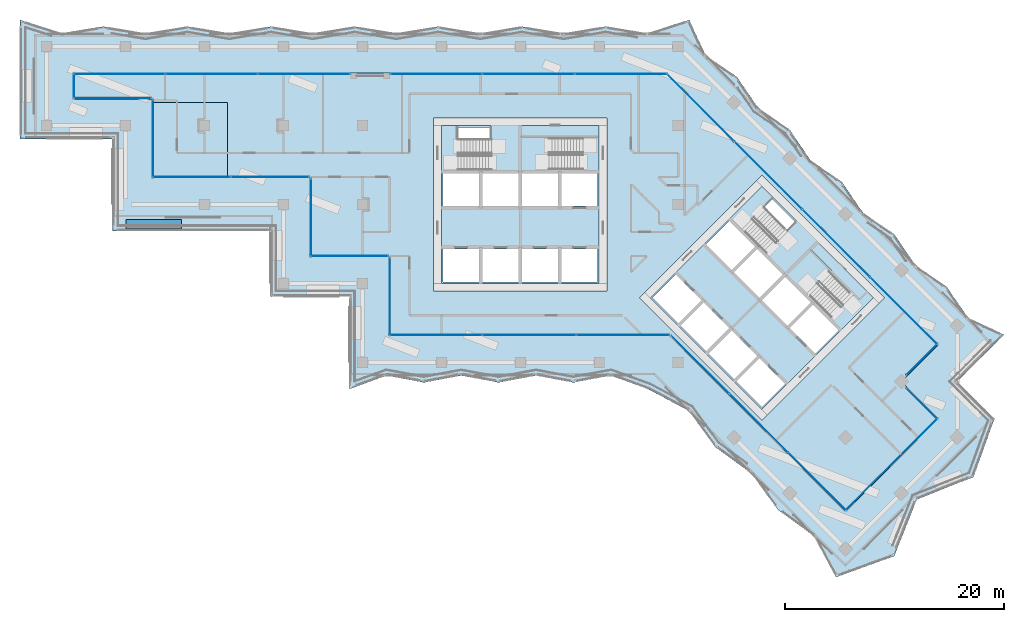
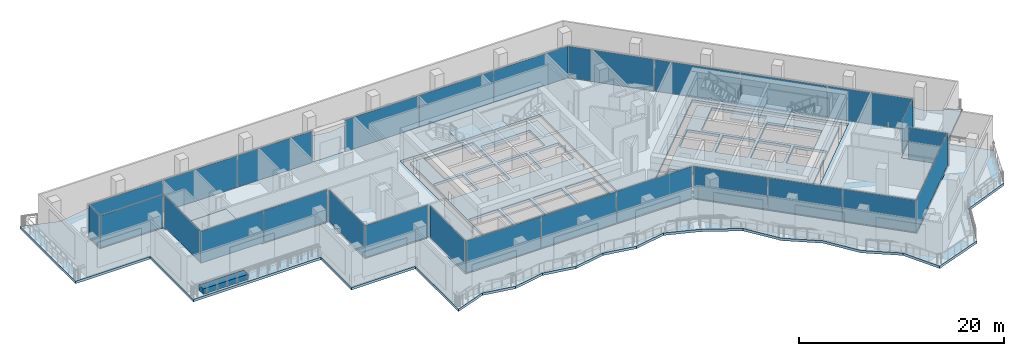
# One storey, part 9 of 23: 27 plates, 8 slabs, 1 wall, 22 openings, 19 elements without a shape of their own.
"""IFC4 building model written with IfcOpenShell, lengths in metres."""

from ifc_helpers import new_model, si_unit, direction, frame, frame_2d, origin, origin_2d, place, context, subcontext, project, spatial, polyline, rectangle, outline, extrude, material, layer, layer_set, type_object, element, aggregate, save


model = new_model("IFC4")

# Units and contexts
model_context = context("Model", 3, precision=1e-05, world=origin(), true_north=direction((0.0, 1.0)))
body_context = subcontext(model_context, "Body", "Model", "MODEL_VIEW")
ifc_project = project(units=[si_unit("LENGTHUNIT", "METRE"), si_unit("AREAUNIT", "SQUARE_METRE"), si_unit("VOLUMEUNIT", "CUBIC_METRE"), si_unit("PLANEANGLEUNIT", "RADIAN"), si_unit("MASSUNIT", "GRAM", prefix="KILO")], contexts=[model_context])

# Site, building, storey
site_placement = place(None, origin())
site = spatial("IfcSite", under=ifc_project, at=site_placement, CompositionType="ELEMENT")
building_placement = place(site_placement, origin())
building = spatial("IfcBuilding", under=site, at=building_placement, Name="Windrow Commons", CompositionType="ELEMENT")
storey_placement = place(building_placement, frame((0.0, 0.0, 122.0)))
storey = spatial("IfcBuildingStorey", under=building, at=storey_placement, Name="L33", CompositionType="ELEMENT", Elevation=122.0)

# Slab, openings
ifc_material_1 = material(Name="Concrete C50/60", Category="concrete")
ifc_layer_1 = layer(ifc_material_1, 0.3)
ifc_layer_set_1 = layer_set([ifc_layer_1], Name="CORE FLOOR SLAB 300 C50/60")
slab_type_1 = type_object("IfcSlabType", Name="CORE FLOOR SLAB 300 C50/60", PredefinedType="FLOOR", material=ifc_layer_set_1)
placement_1 = place(storey_placement, frame((0.0, 0.0, -0.3)))
slab_1 = element("IfcSlab", 1, at=placement_1, inside=storey, type_object=slab_type_1, Name="S-L33-core-A", PredefinedType="FLOOR", context=body_context, shape_type="SweptSolid", body=[
    extrude(outline(polyline([(57.6, 50.4), (72.0, 50.4), (72.0, 64.8), (57.6, 64.8), (57.6, 50.4)]), holes=[polyline([(57.75, 50.55), (61.05, 50.55), (61.05, 53.55), (57.75, 53.55), (57.75, 50.55)]), polyline([(61.35, 50.55), (64.65, 50.55), (64.65, 53.55), (61.35, 53.55), (61.35, 50.55)]), polyline([(64.95, 50.55), (68.25, 50.55), (68.25, 53.55), (64.95, 53.55), (64.95, 50.55)]), polyline([(68.55, 50.55), (71.85, 50.55), (71.85, 53.55), (68.55, 53.55), (68.55, 50.55)]), polyline([(57.75, 57.45), (61.05, 57.45), (61.05, 60.45), (57.75, 60.45), (57.75, 57.45)]), polyline([(61.35, 57.45), (64.65, 57.45), (64.65, 60.45), (61.35, 60.45), (61.35, 57.45)]), polyline([(64.95, 57.45), (68.25, 57.45), (68.25, 60.45), (64.95, 60.45), (64.95, 57.45)]), polyline([(68.55, 57.45), (71.85, 57.45), (71.85, 60.45), (68.55, 60.45), (68.55, 57.45)]), polyline([(59.1, 60.75), (64.65, 60.75), (64.65, 64.65), (59.1, 64.65), (59.1, 60.75)]), polyline([(64.95, 60.75), (70.5, 60.75), (70.5, 63.705), (64.95, 63.705), (64.95, 60.75)])]), origin(), (0.0, 0.0, 1.0), 0.3),
])
opening_1_placement = place(placement_1, origin())
element("IfcOpeningElement", 2, at=opening_1_placement, cuts=slab_1, Name="Slab opening S-L33-core-A 1", PredefinedType="OPENING", context=body_context, shape_type="SweptSolid", body=[
    extrude(outline(polyline([(57.755, 50.555), (57.755, 53.545), (61.045, 53.545), (61.045, 50.555), (57.755, 50.555)])), origin(), (0.0, 0.0, 1.0), 0.3),
])
opening_2_placement = place(placement_1, origin())
element("IfcOpeningElement", 3, at=opening_2_placement, cuts=slab_1, Name="Slab opening S-L33-core-A 2", PredefinedType="OPENING", context=body_context, shape_type="SweptSolid", body=[
    extrude(outline(polyline([(61.355, 50.555), (61.355, 53.545), (64.645, 53.545), (64.645, 50.555), (61.355, 50.555)])), origin(), (0.0, 0.0, 1.0), 0.3),
])
opening_3_placement = place(placement_1, origin())
element("IfcOpeningElement", 4, at=opening_3_placement, cuts=slab_1, Name="Slab opening S-L33-core-A 3", PredefinedType="OPENING", context=body_context, shape_type="SweptSolid", body=[
    extrude(outline(polyline([(64.955, 50.555), (64.955, 53.545), (68.245, 53.545), (68.245, 50.555), (64.955, 50.555)])), origin(), (0.0, 0.0, 1.0), 0.3),
])
opening_4_placement = place(placement_1, origin())
element("IfcOpeningElement", 5, at=opening_4_placement, cuts=slab_1, Name="Slab opening S-L33-core-A 4", PredefinedType="OPENING", context=body_context, shape_type="SweptSolid", body=[
    extrude(outline(polyline([(68.555, 50.555), (68.555, 53.545), (71.845, 53.545), (71.845, 50.555), (68.555, 50.555)])), origin(), (0.0, 0.0, 1.0), 0.3),
])
opening_5_placement = place(placement_1, origin())
element("IfcOpeningElement", 6, at=opening_5_placement, cuts=slab_1, Name="Slab opening S-L33-core-A 5", PredefinedType="OPENING", context=body_context, shape_type="SweptSolid", body=[
    extrude(outline(polyline([(57.755, 57.455), (57.755, 60.445), (61.045, 60.445), (61.045, 57.455), (57.755, 57.455)])), origin(), (0.0, 0.0, 1.0), 0.3),
])
opening_6_placement = place(placement_1, origin())
element("IfcOpeningElement", 7, at=opening_6_placement, cuts=slab_1, Name="Slab opening S-L33-core-A 6", PredefinedType="OPENING", context=body_context, shape_type="SweptSolid", body=[
    extrude(outline(polyline([(61.355, 57.455), (61.355, 60.445), (64.645, 60.445), (64.645, 57.455), (61.355, 57.455)])), origin(), (0.0, 0.0, 1.0), 0.3),
])
opening_7_placement = place(placement_1, origin())
element("IfcOpeningElement", 8, at=opening_7_placement, cuts=slab_1, Name="Slab opening S-L33-core-A 7", PredefinedType="OPENING", context=body_context, shape_type="SweptSolid", body=[
    extrude(outline(polyline([(64.955, 57.455), (64.955, 60.445), (68.245, 60.445), (68.245, 57.455), (64.955, 57.455)])), origin(), (0.0, 0.0, 1.0), 0.3),
])
opening_8_placement = place(placement_1, origin())
element("IfcOpeningElement", 9, at=opening_8_placement, cuts=slab_1, Name="Slab opening S-L33-core-A 8", PredefinedType="OPENING", context=body_context, shape_type="SweptSolid", body=[
    extrude(outline(polyline([(68.555, 57.455), (68.555, 60.445), (71.845, 60.445), (71.845, 57.455), (68.555, 57.455)])), origin(), (0.0, 0.0, 1.0), 0.3),
])
opening_9_placement = place(placement_1, origin())
element("IfcOpeningElement", 10, at=opening_9_placement, cuts=slab_1, Name="Slab opening S-L33-core-A 9", PredefinedType="OPENING", context=body_context, shape_type="SweptSolid", body=[
    extrude(outline(polyline([(59.105, 60.755), (59.105, 64.645), (64.645, 64.645), (64.645, 60.755), (59.105, 60.755)])), origin(), (0.0, 0.0, 1.0), 0.3),
])
opening_10_placement = place(placement_1, origin())
element("IfcOpeningElement", 11, at=opening_10_placement, cuts=slab_1, Name="Slab opening S-L33-core-A 10", PredefinedType="OPENING", context=body_context, shape_type="SweptSolid", body=[
    extrude(outline(polyline([(64.955, 60.755), (64.955, 63.7), (70.495, 63.7), (70.495, 60.755), (64.955, 60.755)])), origin(), (0.0, 0.0, 1.0), 0.3),
])

slab_2 = element("IfcSlab", 12, at=placement_1, inside=storey, type_object=slab_type_1, Name="S-L33-core-B", PredefinedType="FLOOR", context=body_context, shape_type="SweptSolid", body=[
    extrude(outline(polyline([(76.6544, 49.0897), (86.8368, 38.9074), (97.0191, 49.0897), (86.8368, 59.2721), (76.6544, 49.0897)]), holes=[polyline([(76.8665, 49.0897), (79.2, 46.7563), (81.3213, 48.8776), (78.9879, 51.2111), (76.8665, 49.0897)]), polyline([(79.4121, 46.5442), (81.7456, 44.2107), (83.8669, 46.332), (81.5335, 48.6655), (79.4121, 46.5442)]), polyline([(81.9577, 43.9986), (84.2912, 41.6651), (86.4125, 43.7864), (84.079, 46.1199), (81.9577, 43.9986)]), polyline([(84.5033, 41.453), (86.8368, 39.1195), (88.9581, 41.2409), (86.6246, 43.5743), (84.5033, 41.453)]), polyline([(81.7456, 53.9688), (84.079, 51.6353), (86.2004, 53.7566), (83.8669, 56.0901), (81.7456, 53.9688)]), polyline([(84.2912, 51.4232), (86.6246, 49.0897), (88.7459, 51.2111), (86.4125, 53.5445), (84.2912, 51.4232)]), polyline([(86.8368, 48.8776), (89.1702, 46.5442), (91.2915, 48.6655), (88.9581, 50.9989), (86.8368, 48.8776)]), polyline([(89.3823, 46.332), (91.7158, 43.9986), (93.8371, 46.1199), (91.5037, 48.4533), (89.3823, 46.332)]), polyline([(85.0336, 55.3476), (88.9581, 51.4232), (91.7158, 54.1809), (87.7913, 58.1054), (85.0336, 55.3476)]), polyline([(89.1702, 51.2111), (93.0946, 47.2866), (95.1841, 49.3761), (91.2597, 53.3006), (89.1702, 51.2111)])]), origin(), (0.0, 0.0, 1.0), 0.3),
])
opening_11_placement = place(placement_1, origin())
element("IfcOpeningElement", 13, at=opening_11_placement, cuts=slab_2, Name="Slab opening S-L33-core-B 1", PredefinedType="OPENING", context=body_context, shape_type="SweptSolid", body=[
    extrude(outline(polyline([(76.8736, 49.0897), (78.9879, 51.204), (81.3142, 48.8776), (79.2, 46.7634), (76.8736, 49.0897)])), origin(), (0.0, 0.0, 1.0), 0.3),
])
opening_12_placement = place(placement_1, origin())
element("IfcOpeningElement", 14, at=opening_12_placement, cuts=slab_2, Name="Slab opening S-L33-core-B 2", PredefinedType="OPENING", context=body_context, shape_type="SweptSolid", body=[
    extrude(outline(polyline([(79.4192, 46.5442), (81.5335, 48.6584), (83.8598, 46.332), (81.7456, 44.2178), (79.4192, 46.5442)])), origin(), (0.0, 0.0, 1.0), 0.3),
])
opening_13_placement = place(placement_1, origin())
element("IfcOpeningElement", 15, at=opening_13_placement, cuts=slab_2, Name="Slab opening S-L33-core-B 3", PredefinedType="OPENING", context=body_context, shape_type="SweptSolid", body=[
    extrude(outline(polyline([(81.9648, 43.9986), (84.079, 46.1128), (86.4054, 43.7864), (84.2912, 41.6722), (81.9648, 43.9986)])), origin(), (0.0, 0.0, 1.0), 0.3),
])
opening_14_placement = place(placement_1, origin())
element("IfcOpeningElement", 16, at=opening_14_placement, cuts=slab_2, Name="Slab opening S-L33-core-B 4", PredefinedType="OPENING", context=body_context, shape_type="SweptSolid", body=[
    extrude(outline(polyline([(84.5104, 41.453), (86.6246, 43.5672), (88.951, 41.2409), (86.8368, 39.1266), (84.5104, 41.453)])), origin(), (0.0, 0.0, 1.0), 0.3),
])
opening_15_placement = place(placement_1, origin())
element("IfcOpeningElement", 17, at=opening_15_placement, cuts=slab_2, Name="Slab opening S-L33-core-B 5", PredefinedType="OPENING", context=body_context, shape_type="SweptSolid", body=[
    extrude(outline(polyline([(81.7527, 53.9688), (83.8669, 56.083), (86.1933, 53.7566), (84.079, 51.6424), (81.7527, 53.9688)])), origin(), (0.0, 0.0, 1.0), 0.3),
])
opening_16_placement = place(placement_1, origin())
element("IfcOpeningElement", 18, at=opening_16_placement, cuts=slab_2, Name="Slab opening S-L33-core-B 6", PredefinedType="OPENING", context=body_context, shape_type="SweptSolid", body=[
    extrude(outline(polyline([(84.2983, 51.4232), (86.4125, 53.5374), (88.7388, 51.2111), (86.6246, 49.0968), (84.2983, 51.4232)])), origin(), (0.0, 0.0, 1.0), 0.3),
])
opening_17_placement = place(placement_1, origin())
element("IfcOpeningElement", 19, at=opening_17_placement, cuts=slab_2, Name="Slab opening S-L33-core-B 7", PredefinedType="OPENING", context=body_context, shape_type="SweptSolid", body=[
    extrude(outline(polyline([(86.8439, 48.8776), (88.9581, 50.9918), (91.2844, 48.6655), (89.1702, 46.5513), (86.8439, 48.8776)])), origin(), (0.0, 0.0, 1.0), 0.3),
])
opening_18_placement = place(placement_1, origin())
element("IfcOpeningElement", 20, at=opening_18_placement, cuts=slab_2, Name="Slab opening S-L33-core-B 8", PredefinedType="OPENING", context=body_context, shape_type="SweptSolid", body=[
    extrude(outline(polyline([(89.3894, 46.332), (91.5037, 48.4462), (93.83, 46.1199), (91.7158, 44.0057), (89.3894, 46.332)])), origin(), (0.0, 0.0, 1.0), 0.3),
])
opening_19_placement = place(placement_1, origin())
element("IfcOpeningElement", 21, at=opening_19_placement, cuts=slab_2, Name="Slab opening S-L33-core-B 9", PredefinedType="OPENING", context=body_context, shape_type="SweptSolid", body=[
    extrude(outline(polyline([(85.0407, 55.3476), (87.7913, 58.0983), (91.7087, 54.1809), (88.9581, 51.4303), (85.0407, 55.3476)])), origin(), (0.0, 0.0, 1.0), 0.3),
])
opening_20_placement = place(placement_1, origin())
element("IfcOpeningElement", 22, at=opening_20_placement, cuts=slab_2, Name="Slab opening S-L33-core-B 10", PredefinedType="OPENING", context=body_context, shape_type="SweptSolid", body=[
    extrude(outline(polyline([(89.1773, 51.2111), (91.2597, 53.2935), (95.177, 49.3761), (93.0946, 47.2937), (89.1773, 51.2111)])), origin(), (0.0, 0.0, 1.0), 0.3),
])

# Curtain wall, plate
ifc_material_2 = material(Name="Clear laminated glass in Aluminium 6063-T6 anodised frame", Category="aluminium")
curtain_wall_type = type_object("IfcCurtainWallType", Name="Curtain wall CW2M sky lounge mid", PredefinedType="USERDEFINED", material=ifc_material_2)
placement_2 = place(storey_placement, origin())
curtain_wall_1 = element("IfcCurtainWall", 23, at=placement_2, inside=storey, type_object=curtain_wall_type, Name="Curtain wall CW2M L33 1", ObjectType="UNITISED", PredefinedType="USERDEFINED")
ifc_material_3 = material(Name="Clear laminated glass", Category="glass")
ifc_layer_2 = layer(ifc_material_3, 0.03)
ifc_layer_set_2 = layer_set([ifc_layer_2], Name="CW2M panel glass 30")
plate_type = type_object("IfcPlateType", Name="CW2M panel glass 30", PredefinedType="CURTAIN_PANEL", material=ifc_layer_set_2)
plate_1_placement = place(storey_placement, frame((101.4382, 39.4381, 0.06), z_axis=(0.0, 0.0, 1.0), x_axis=(-0.7071067812, 0.7071067812, 0.0)))
plate_1 = element("IfcPlate", 24, at=plate_1_placement, type_object=plate_type, Name="CW2M panel 1.1", PredefinedType="CURTAIN_PANEL", context=body_context, shape_type="SweptSolid", body=[
    extrude(rectangle(XDim=3.9809, YDim=0.03, at=origin_2d()), origin(), (0.0, 0.0, 1.0), 3.78),
])
aggregate(curtain_wall_1, [plate_1])

curtain_wall_2 = element("IfcCurtainWall", 25, at=placement_2, inside=storey, type_object=curtain_wall_type, Name="Curtain wall CW2M L33 2", ObjectType="UNITISED", PredefinedType="USERDEFINED")
plate_2_placement = place(storey_placement, frame((101.4382, 43.4679, 0.06), z_axis=(0.0, 0.0, 1.0), x_axis=(0.7071067812, 0.7071067812, 0.0)))
plate_2 = element("IfcPlate", 26, at=plate_2_placement, type_object=plate_type, Name="CW2M panel 1.1", PredefinedType="CURTAIN_PANEL", context=body_context, shape_type="SweptSolid", body=[
    extrude(rectangle(XDim=3.9809, YDim=0.03, at=origin_2d()), origin(), (0.0, 0.0, 1.0), 3.78),
])
aggregate(curtain_wall_2, [plate_2])

# Curtain wall, plates
curtain_wall_3 = element("IfcCurtainWall", 27, at=placement_2, inside=storey, type_object=curtain_wall_type, Name="Curtain wall CW2M L33 3", ObjectType="UNITISED", PredefinedType="USERDEFINED")
plate_3_placement = place(storey_placement, frame((99.7834, 47.8811, 0.06), z_axis=(0.0, 0.0, 1.0), x_axis=(-0.7071067812, 0.7071067812, 0.0)))
plate_3 = element("IfcPlate", 28, at=plate_3_placement, type_object=plate_type, Name="CW2M panel 1.1", PredefinedType="CURTAIN_PANEL", context=body_context, shape_type="SweptSolid", body=[
    extrude(rectangle(XDim=8.6615, YDim=0.03, at=origin_2d()), origin(), (0.0, 0.0, 1.0), 3.78),
])
plate_4_placement = place(storey_placement, frame((93.6058, 54.0587, 0.06), z_axis=(0.0, 0.0, 1.0), x_axis=(-0.7071067812, 0.7071067812, 0.0)))
plate_4 = element("IfcPlate", 29, at=plate_4_placement, type_object=plate_type, Name="CW2M panel 2.1", PredefinedType="CURTAIN_PANEL", context=body_context, shape_type="SweptSolid", body=[
    extrude(rectangle(XDim=8.6915, YDim=0.03, at=origin_2d()), origin(), (0.0, 0.0, 1.0), 3.78),
])
plate_5_placement = place(storey_placement, frame((87.4175, 60.247, 0.06), z_axis=(0.0, 0.0, 1.0), x_axis=(-0.7071067812, 0.7071067812, 0.0)))
plate_5 = element("IfcPlate", 30, at=plate_5_placement, type_object=plate_type, Name="CW2M panel 3.1", PredefinedType="CURTAIN_PANEL", context=body_context, shape_type="SweptSolid", body=[
    extrude(rectangle(XDim=8.6915, YDim=0.03, at=origin_2d()), origin(), (0.0, 0.0, 1.0), 3.78),
])
plate_6_placement = place(storey_placement, frame((81.2399, 66.4246, 0.06), z_axis=(0.0, 0.0, 1.0), x_axis=(-0.7071067812, 0.7071067812, 0.0)))
plate_6 = element("IfcPlate", 31, at=plate_6_placement, type_object=plate_type, Name="CW2M panel 4.1", PredefinedType="CURTAIN_PANEL", context=body_context, shape_type="SweptSolid", body=[
    extrude(rectangle(XDim=8.6615, YDim=0.03, at=origin_2d()), origin(), (0.0, 0.0, 1.0), 3.78),
])
aggregate(curtain_wall_3, [plate_3, plate_4, plate_5, plate_6])

curtain_wall_4 = element("IfcCurtainWall", 32, at=placement_2, inside=storey, type_object=curtain_wall_type, Name="Curtain wall CW2M L33 4.1", ObjectType="UNITISED", PredefinedType="USERDEFINED")
plate_7_placement = place(storey_placement, frame((73.9737, 69.5, 0.06), z_axis=(0.0, 0.0, 1.0), x_axis=(-1.0, 0.0, 0.0)))
plate_7 = element("IfcPlate", 33, at=plate_7_placement, type_object=plate_type, Name="CW2M panel 1.1", PredefinedType="CURTAIN_PANEL", context=body_context, shape_type="SweptSolid", body=[
    extrude(rectangle(XDim=8.3443, YDim=0.03, at=origin_2d()), origin(), (0.0, 0.0, 1.0), 3.78),
])
plate_8_placement = place(storey_placement, frame((65.5544, 69.5, 0.06), z_axis=(0.0, 0.0, 1.0), x_axis=(-1.0, 0.0, 0.0)))
plate_8 = element("IfcPlate", 34, at=plate_8_placement, type_object=plate_type, Name="CW2M panel 2.1", PredefinedType="CURTAIN_PANEL", context=body_context, shape_type="SweptSolid", body=[
    extrude(rectangle(XDim=8.3743, YDim=0.03, at=origin_2d()), origin(), (0.0, 0.0, 1.0), 3.78),
])
plate_9_placement = place(storey_placement, frame((57.1351, 69.5, 0.06), z_axis=(0.0, 0.0, 1.0), x_axis=(-1.0, 0.0, 0.0)))
plate_9 = element("IfcPlate", 35, at=plate_9_placement, type_object=plate_type, Name="CW2M panel 3.1", PredefinedType="CURTAIN_PANEL", context=body_context, shape_type="SweptSolid", body=[
    extrude(rectangle(XDim=8.3443, YDim=0.03, at=origin_2d()), origin(), (0.0, 0.0, 1.0), 3.78),
])
aggregate(curtain_wall_4, [plate_7, plate_8, plate_9])

curtain_wall_5 = element("IfcCurtainWall", 36, at=placement_2, inside=storey, type_object=curtain_wall_type, Name="Curtain wall CW2M L33 4.2", ObjectType="UNITISED", PredefinedType="USERDEFINED")
plate_10_placement = place(storey_placement, frame((45.0707, 69.5, 0.06), z_axis=(0.0, 0.0, 1.0), x_axis=(-1.0, 0.0, 0.0)))
plate_10 = element("IfcPlate", 37, at=plate_10_placement, type_object=plate_type, Name="CW2M panel 1.1", PredefinedType="CURTAIN_PANEL", context=body_context, shape_type="SweptSolid", body=[
    extrude(rectangle(XDim=8.3443, YDim=0.03, at=origin_2d()), origin(), (0.0, 0.0, 1.0), 3.78),
])
plate_11_placement = place(storey_placement, frame((36.6514, 69.5, 0.06), z_axis=(0.0, 0.0, 1.0), x_axis=(-1.0, 0.0, 0.0)))
plate_11 = element("IfcPlate", 38, at=plate_11_placement, type_object=plate_type, Name="CW2M panel 2.1", PredefinedType="CURTAIN_PANEL", context=body_context, shape_type="SweptSolid", body=[
    extrude(rectangle(XDim=8.3743, YDim=0.03, at=origin_2d()), origin(), (0.0, 0.0, 1.0), 3.78),
])
plate_12_placement = place(storey_placement, frame((28.2322, 69.5, 0.06), z_axis=(0.0, 0.0, 1.0), x_axis=(-1.0, 0.0, 0.0)))
plate_12 = element("IfcPlate", 39, at=plate_12_placement, type_object=plate_type, Name="CW2M panel 3.1", PredefinedType="CURTAIN_PANEL", context=body_context, shape_type="SweptSolid", body=[
    extrude(rectangle(XDim=8.3443, YDim=0.03, at=origin_2d()), origin(), (0.0, 0.0, 1.0), 3.78),
])
aggregate(curtain_wall_5, [plate_10, plate_11, plate_12])

# Curtain wall, plate
curtain_wall_6 = element("IfcCurtainWall", 40, at=placement_2, inside=storey, type_object=curtain_wall_type, Name="Curtain wall CW2M L33 5", ObjectType="UNITISED", PredefinedType="USERDEFINED")
plate_13_placement = place(storey_placement, frame((24.1, 68.4, 0.06), z_axis=(0.0, 0.0, 1.0), x_axis=(0.0, -1.0, 0.0)))
plate_13 = element("IfcPlate", 41, at=plate_13_placement, type_object=plate_type, Name="CW2M panel 1.1", PredefinedType="CURTAIN_PANEL", context=body_context, shape_type="SweptSolid", body=[
    extrude(rectangle(XDim=2.28, YDim=0.03, at=origin_2d()), origin(), (0.0, 0.0, 1.0), 3.78),
])
aggregate(curtain_wall_6, [plate_13])

curtain_wall_7 = element("IfcCurtainWall", 42, at=placement_2, inside=storey, type_object=curtain_wall_type, Name="Curtain wall CW2M L33 6", ObjectType="UNITISED", PredefinedType="USERDEFINED")
plate_14_placement = place(storey_placement, frame((27.6, 67.3, 0.06), z_axis=(0.0, 0.0, 1.0), x_axis=(1.0, 0.0, 0.0)))
plate_14 = element("IfcPlate", 43, at=plate_14_placement, type_object=plate_type, Name="CW2M panel 1.1", PredefinedType="CURTAIN_PANEL", context=body_context, shape_type="SweptSolid", body=[
    extrude(rectangle(XDim=7.08, YDim=0.03, at=origin_2d()), origin(), (0.0, 0.0, 1.0), 3.78),
])
aggregate(curtain_wall_7, [plate_14])

curtain_wall_8 = element("IfcCurtainWall", 44, at=placement_2, inside=storey, type_object=curtain_wall_type, Name="Curtain wall CW2M L33 7", ObjectType="UNITISED", PredefinedType="USERDEFINED")
plate_15_placement = place(storey_placement, frame((31.3, 63.6, 0.06), z_axis=(0.0, 0.0, 1.0), x_axis=(0.0, -1.0, 0.0)))
plate_15 = element("IfcPlate", 45, at=plate_15_placement, type_object=plate_type, Name="CW2M panel 1.1", PredefinedType="CURTAIN_PANEL", context=body_context, shape_type="SweptSolid", body=[
    extrude(rectangle(XDim=7.08, YDim=0.03, at=origin_2d()), origin(), (0.0, 0.0, 1.0), 3.78),
])
aggregate(curtain_wall_8, [plate_15])

# Curtain wall, plates
curtain_wall_9 = element("IfcCurtainWall", 46, at=placement_2, inside=storey, type_object=curtain_wall_type, Name="Curtain wall CW2M L33 8", ObjectType="UNITISED", PredefinedType="USERDEFINED")
plate_16_placement = place(storey_placement, frame((34.815, 60.1, 0.06), z_axis=(0.0, 0.0, 1.0), x_axis=(1.0, 0.0, 0.0)))
plate_16 = element("IfcPlate", 47, at=plate_16_placement, type_object=plate_type, Name="CW2M panel 1.1", PredefinedType="CURTAIN_PANEL", context=body_context, shape_type="SweptSolid", body=[
    extrude(rectangle(XDim=7.11, YDim=0.03, at=origin_2d()), origin(), (0.0, 0.0, 1.0), 3.78),
])
plate_17_placement = place(storey_placement, frame((41.985, 60.1, 0.06), z_axis=(0.0, 0.0, 1.0), x_axis=(1.0, 0.0, 0.0)))
plate_17 = element("IfcPlate", 48, at=plate_17_placement, type_object=plate_type, Name="CW2M panel 2.1", PredefinedType="CURTAIN_PANEL", context=body_context, shape_type="SweptSolid", body=[
    extrude(rectangle(XDim=7.11, YDim=0.03, at=origin_2d()), origin(), (0.0, 0.0, 1.0), 3.78),
])
aggregate(curtain_wall_9, [plate_16, plate_17])

# Curtain wall, plate
curtain_wall_10 = element("IfcCurtainWall", 49, at=placement_2, inside=storey, type_object=curtain_wall_type, Name="Curtain wall CW2M L33 9", ObjectType="UNITISED", PredefinedType="USERDEFINED")
plate_18_placement = place(storey_placement, frame((45.7, 56.4, 0.06), z_axis=(0.0, 0.0, 1.0), x_axis=(0.0, -1.0, 0.0)))
plate_18 = element("IfcPlate", 50, at=plate_18_placement, type_object=plate_type, Name="CW2M panel 1.1", PredefinedType="CURTAIN_PANEL", context=body_context, shape_type="SweptSolid", body=[
    extrude(rectangle(XDim=7.08, YDim=0.03, at=origin_2d()), origin(), (0.0, 0.0, 1.0), 3.78),
])
aggregate(curtain_wall_10, [plate_18])

curtain_wall_11 = element("IfcCurtainWall", 51, at=placement_2, inside=storey, type_object=curtain_wall_type, Name="Curtain wall CW2M L33 10", ObjectType="UNITISED", PredefinedType="USERDEFINED")
plate_19_placement = place(storey_placement, frame((49.2, 52.9, 0.06), z_axis=(0.0, 0.0, 1.0), x_axis=(1.0, 0.0, 0.0)))
plate_19 = element("IfcPlate", 52, at=plate_19_placement, type_object=plate_type, Name="CW2M panel 1.1", PredefinedType="CURTAIN_PANEL", context=body_context, shape_type="SweptSolid", body=[
    extrude(rectangle(XDim=7.08, YDim=0.03, at=origin_2d()), origin(), (0.0, 0.0, 1.0), 3.78),
])
aggregate(curtain_wall_11, [plate_19])

curtain_wall_12 = element("IfcCurtainWall", 53, at=placement_2, inside=storey, type_object=curtain_wall_type, Name="Curtain wall CW2M L33 11", ObjectType="UNITISED", PredefinedType="USERDEFINED")
plate_20_placement = place(storey_placement, frame((52.9, 49.2, 0.06), z_axis=(0.0, 0.0, 1.0), x_axis=(0.0, -1.0, 0.0)))
plate_20 = element("IfcPlate", 54, at=plate_20_placement, type_object=plate_type, Name="CW2M panel 1.1", PredefinedType="CURTAIN_PANEL", context=body_context, shape_type="SweptSolid", body=[
    extrude(rectangle(XDim=7.08, YDim=0.03, at=origin_2d()), origin(), (0.0, 0.0, 1.0), 3.78),
])
aggregate(curtain_wall_12, [plate_20])

# Curtain wall, plates
curtain_wall_13 = element("IfcCurtainWall", 55, at=placement_2, inside=storey, type_object=curtain_wall_type, Name="Curtain wall CW2M L33 12", ObjectType="UNITISED", PredefinedType="USERDEFINED")
plate_21_placement = place(storey_placement, frame((57.0895, 45.7, 0.06), z_axis=(0.0, 0.0, 1.0), x_axis=(1.0, 0.0, 0.0)))
plate_21 = element("IfcPlate", 56, at=plate_21_placement, type_object=plate_type, Name="CW2M panel 1.1", PredefinedType="CURTAIN_PANEL", context=body_context, shape_type="SweptSolid", body=[
    extrude(rectangle(XDim=8.459, YDim=0.03, at=origin_2d()), origin(), (0.0, 0.0, 1.0), 3.78),
])
plate_22_placement = place(storey_placement, frame((65.6235, 45.7, 0.06), z_axis=(0.0, 0.0, 1.0), x_axis=(1.0, 0.0, 0.0)))
plate_22 = element("IfcPlate", 57, at=plate_22_placement, type_object=plate_type, Name="CW2M panel 2.1", PredefinedType="CURTAIN_PANEL", context=body_context, shape_type="SweptSolid", body=[
    extrude(rectangle(XDim=8.489, YDim=0.03, at=origin_2d()), origin(), (0.0, 0.0, 1.0), 3.78),
])
plate_23_placement = place(storey_placement, frame((74.1576, 45.7, 0.06), z_axis=(0.0, 0.0, 1.0), x_axis=(1.0, 0.0, 0.0)))
plate_23 = element("IfcPlate", 58, at=plate_23_placement, type_object=plate_type, Name="CW2M panel 3.1", PredefinedType="CURTAIN_PANEL", context=body_context, shape_type="SweptSolid", body=[
    extrude(rectangle(XDim=8.459, YDim=0.03, at=origin_2d()), origin(), (0.0, 0.0, 1.0), 3.78),
])
aggregate(curtain_wall_13, [plate_21, plate_22, plate_23])

curtain_wall_14 = element("IfcCurtainWall", 59, at=placement_2, inside=storey, type_object=curtain_wall_type, Name="Curtain wall CW2M L33 13", ObjectType="UNITISED", PredefinedType="USERDEFINED")
plate_24_placement = place(storey_placement, frame((81.1995, 42.989, 0.06), z_axis=(0.0, 0.0, 1.0), x_axis=(0.7071067812, -0.7071067812, 0.0)))
plate_24 = element("IfcPlate", 60, at=plate_24_placement, type_object=plate_type, Name="CW2M panel 1.1", PredefinedType="CURTAIN_PANEL", context=body_context, shape_type="SweptSolid", body=[
    extrude(rectangle(XDim=7.4649, YDim=0.03, at=origin_2d()), origin(), (0.0, 0.0, 1.0), 3.78),
])
plate_25_placement = place(storey_placement, frame((86.531, 37.6575, 0.06), z_axis=(0.0, 0.0, 1.0), x_axis=(0.7071067812, -0.7071067812, 0.0)))
plate_25 = element("IfcPlate", 61, at=plate_25_placement, type_object=plate_type, Name="CW2M panel 2.1", PredefinedType="CURTAIN_PANEL", context=body_context, shape_type="SweptSolid", body=[
    extrude(rectangle(XDim=7.4949, YDim=0.03, at=origin_2d()), origin(), (0.0, 0.0, 1.0), 3.78),
])
plate_26_placement = place(storey_placement, frame((91.8625, 32.326, 0.06), z_axis=(0.0, 0.0, 1.0), x_axis=(0.7071067812, -0.7071067812, 0.0)))
plate_26 = element("IfcPlate", 62, at=plate_26_placement, type_object=plate_type, Name="CW2M panel 3.1", PredefinedType="CURTAIN_PANEL", context=body_context, shape_type="SweptSolid", body=[
    extrude(rectangle(XDim=7.4649, YDim=0.03, at=origin_2d()), origin(), (0.0, 0.0, 1.0), 3.78),
])
aggregate(curtain_wall_14, [plate_24, plate_25, plate_26])

# Curtain wall, plate
curtain_wall_15 = element("IfcCurtainWall", 63, at=placement_2, inside=storey, type_object=curtain_wall_type, Name="Curtain wall CW2M L33 14", ObjectType="UNITISED", PredefinedType="USERDEFINED")
plate_27_placement = place(storey_placement, frame((98.6454, 33.887, 0.06), z_axis=(0.0, 0.0, 1.0), x_axis=(0.7071067812, 0.7071067812, 0.0)))
plate_27 = element("IfcPlate", 64, at=plate_27_placement, type_object=plate_type, Name="CW2M panel 1.1", PredefinedType="CURTAIN_PANEL", context=body_context, shape_type="SweptSolid", body=[
    extrude(rectangle(XDim=11.88, YDim=0.03, at=origin_2d()), origin(), (0.0, 0.0, 1.0), 3.78),
])
aggregate(curtain_wall_15, [plate_27])

# Stair, slab
ifc_material_4 = material(Name="Concrete C40/50", Category="concrete")
stair_type = type_object("IfcStairType", Name="Core stair", PredefinedType="HALF_TURN_STAIR", material=ifc_material_4)
stair_1 = element("IfcStair", 65, at=placement_2, inside=storey, type_object=stair_type, Name="L33 Exit stair A1 core A", PredefinedType="HALF_TURN_STAIR")
ifc_material_5 = material(Name="Concrete C40/50", Category="concrete")
ifc_layer_3 = layer(ifc_material_5, 0.2)
ifc_layer_set_3 = layer_set([ifc_layer_3], Name="Core stair landing")
slab_type_2 = type_object("IfcSlabType", Name="Core stair landing", PredefinedType="LANDING", material=ifc_layer_set_3)
placement_3 = place(storey_placement, frame((0.0, 0.0, 1.9)))
slab_3 = element("IfcSlab", 66, at=placement_3, type_object=slab_type_2, Name="ST-A1 landing 1", PredefinedType="LANDING", context=body_context, shape_type="SweptSolid", body=[
    extrude(outline(polyline([(62.06, 60.5), (64.8, 60.5), (64.8, 64.9), (62.06, 64.9), (62.06, 60.5)])), origin(), (0.0, 0.0, 1.0), 0.2),
])
aggregate(stair_1, [slab_3])

stair_2 = element("IfcStair", 67, at=placement_2, inside=storey, type_object=stair_type, Name="L33 Exit stair A2 core A", PredefinedType="HALF_TURN_STAIR")
slab_4 = element("IfcSlab", 68, at=placement_3, type_object=slab_type_2, Name="ST-A2 landing 1", PredefinedType="LANDING", context=body_context, shape_type="SweptSolid", body=[
    extrude(outline(polyline([(64.8, 60.5), (67.54, 60.5), (67.54, 63.855), (64.8, 63.855), (64.8, 60.5)])), origin(), (0.0, 0.0, 1.0), 0.2),
])
aggregate(stair_2, [slab_4])

stair_3 = element("IfcStair", 69, at=placement_2, inside=storey, type_object=stair_type, Name="L33 Exit stair B1 core B", PredefinedType="HALF_TURN_STAIR")
slab_5 = element("IfcSlab", 70, at=placement_3, type_object=slab_type_2, Name="ST-B1 landing 1", PredefinedType="LANDING", context=body_context, shape_type="SweptSolid", body=[
    extrude(outline(polyline([(86.9499, 53.0778), (88.8874, 51.1403), (91.9986, 54.2516), (90.0612, 56.1891), (86.9499, 53.0778)])), origin(), (0.0, 0.0, 1.0), 0.2),
])
aggregate(stair_3, [slab_5])

stair_4 = element("IfcStair", 71, at=placement_2, inside=storey, type_object=stair_type, Name="L33 Exit stair B2 core B", PredefinedType="HALF_TURN_STAIR")
slab_6 = element("IfcSlab", 72, at=placement_3, type_object=slab_type_2, Name="ST-B2 landing 1", PredefinedType="LANDING", context=body_context, shape_type="SweptSolid", body=[
    extrude(outline(polyline([(88.8874, 51.1403), (90.8248, 49.2029), (93.1971, 51.5752), (91.2597, 53.5127), (88.8874, 51.1403)])), origin(), (0.0, 0.0, 1.0), 0.2),
])
aggregate(stair_4, [slab_6])

# Slab, openings
ifc_material_6 = material(Name="Concrete C50/60", Category="concrete")
ifc_layer_4 = layer(ifc_material_6, 0.3)
ifc_layer_set_4 = layer_set([ifc_layer_4], Name="FLOOR SLAB 300 C50/60")
slab_type_3 = type_object("IfcSlabType", Name="FLOOR SLAB 300 C50/60", PredefinedType="FLOOR", material=ifc_layer_set_4)
slab_7 = element("IfcSlab", 73, at=placement_1, inside=storey, type_object=slab_type_3, Name="S-L33-floor", PredefinedType="FLOOR", context=body_context, shape_type="SweptSolid", body=[
    extrude(outline(polyline([(31.2, 67.2), (31.2, 66.9), (38.1, 66.9), (38.1, 60.0), (45.6, 60.0), (45.6, 52.8), (52.8, 52.8), (52.8, 45.6), (78.4471, 45.6), (94.4735, 29.5736), (102.9588, 38.0589), (99.5647, 41.453), (102.9588, 44.8471), (78.2059, 69.6), (24.0, 69.6), (24.0, 67.2), (31.2, 67.2)]), holes=[polyline([(75.6645, 49.0897), (86.8368, 60.262), (98.009, 49.0897), (86.8368, 37.9175), (75.6645, 49.0897)]), polyline([(56.9, 49.7), (56.9, 65.5), (72.7, 65.5), (72.7, 49.7), (56.9, 49.7)])]), origin(), (0.0, 0.0, 1.0), 0.3),
])
opening_21_placement = place(placement_1, origin())
element("IfcOpeningElement", 74, at=opening_21_placement, cuts=slab_7, Name="Slab opening S-L33-floor 1", PredefinedType="OPENING", context=body_context, shape_type="SweptSolid", body=[
    extrude(outline(polyline([(75.6716, 49.0897), (86.8368, 60.2549), (98.0019, 49.0897), (86.8368, 37.9246), (75.6716, 49.0897)])), origin(), (0.0, 0.0, 1.0), 0.3),
])
opening_22_placement = place(placement_1, origin())
element("IfcOpeningElement", 75, at=opening_22_placement, cuts=slab_7, Name="Slab opening S-L33-floor 2", PredefinedType="OPENING", context=body_context, shape_type="SweptSolid", body=[
    extrude(outline(polyline([(56.905, 49.705), (56.905, 65.495), (72.695, 65.495), (72.695, 49.705), (56.905, 49.705)])), origin(), (0.0, 0.0, 1.0), 0.3),
])

# Slab
ifc_material_7 = material(Name="Concrete C50/60", Category="concrete")
ifc_layer_5 = layer(ifc_material_7, 0.3)
ifc_layer_set_5 = layer_set([ifc_layer_5], Name="TERRACE SLAB 300 C50/60")
slab_type_4 = type_object("IfcSlabType", Name="TERRACE SLAB 300 C50/60", PredefinedType="FLOOR", material=ifc_layer_set_5)
element("IfcSlab", 76, at=placement_1, inside=storey, type_object=slab_type_4, Name="Terrace slab TR-L33-1", PredefinedType="FLOOR", context=body_context, shape_type="SweptSolid", body=[
    extrude(outline(polyline([(82.5918, 35.4732), (85.8963, 33.0596), (88.3099, 29.755), (88.8285, 29.3763), (91.6144, 27.3415), (93.6038, 23.6127), (98.9124, 25.5272), (100.9683, 30.6944), (106.1355, 32.7503), (108.05, 38.0589), (104.6912, 41.4176), (104.6841, 41.4106), (102.1032, 43.9915), (99.5647, 41.453), (102.9588, 38.0589), (94.4735, 29.5736), (78.4471, 45.6), (52.8, 45.6), (52.8, 52.8), (45.6, 52.8), (45.6, 60.0), (38.1, 60.0), (38.1, 66.9), (31.2, 66.9), (31.2, 67.2), (24.0, 67.2), (24.0, 69.6), (78.2059, 69.6), (102.9588, 44.8471), (102.1173, 44.0056), (104.6629, 41.4601), (108.9198, 45.7168), (105.657, 47.2401), (103.7095, 50.0786), (100.871, 52.0261), (98.9234, 54.8646), (96.0849, 56.8122), (94.1374, 59.6507), (92.0689, 61.0699), (91.2989, 61.5982), (89.3514, 64.4367), (86.5129, 66.3842), (84.5653, 69.2227), (81.7269, 71.1702), (80.2036, 74.433), (78.2962, 73.8165), (76.3888, 73.2), (72.574, 73.833), (68.7592, 73.2), (64.9444, 73.833), (61.1297, 73.2), (57.3149, 73.833), (53.5001, 73.2), (49.6853, 73.833), (45.8705, 73.2), (42.0557, 73.833), (38.2409, 73.2), (34.4261, 73.833), (30.6114, 73.2), (26.7966, 73.833), (22.9818, 73.2), (19.167, 74.433), (19.167, 63.6), (27.6, 63.6), (27.6, 55.167), (42.0, 55.167), (42.0, 49.2), (49.2, 49.2), (49.2, 40.767), (52.6062, 42.0), (56.0124, 41.367), (59.4185, 42.0), (62.8247, 41.367), (66.2309, 42.0), (69.6371, 41.367), (73.0432, 42.0), (76.4494, 40.767), (80.1782, 38.7777), (82.5918, 35.4732)])), origin(), (0.0, 0.0, 1.0), 0.3),
])

# Wall
ifc_material_8 = material(Name="Concrete C30/37 planter wall", Category="concrete")
ifc_layer_6 = layer(ifc_material_8, 0.8)
ifc_layer_set_6 = layer_set([ifc_layer_6], Name="Planter 800x600")
wall_type = type_object("IfcWallType", Name="Planter 800x600", PredefinedType="SOLIDWALL", material=ifc_layer_set_6)
wall_placement = place(storey_placement, frame((28.85, 55.817, 0.0), z_axis=(0.0, 0.0, 1.0), x_axis=(1.0, 0.0, 0.0)))
element("IfcWall", 77, at=wall_placement, inside=storey, type_object=wall_type, Name="PLANTER TR-L33-1.37", PredefinedType="SOLIDWALL", context=body_context, shape_type="SweptSolid", body=[
    extrude(rectangle(XDim=5.0589, YDim=0.8, at=frame_2d((2.5295, 0.0))), origin(), (0.0, 0.0, 1.0), 0.65),
])

save(model, "model.ifc")
